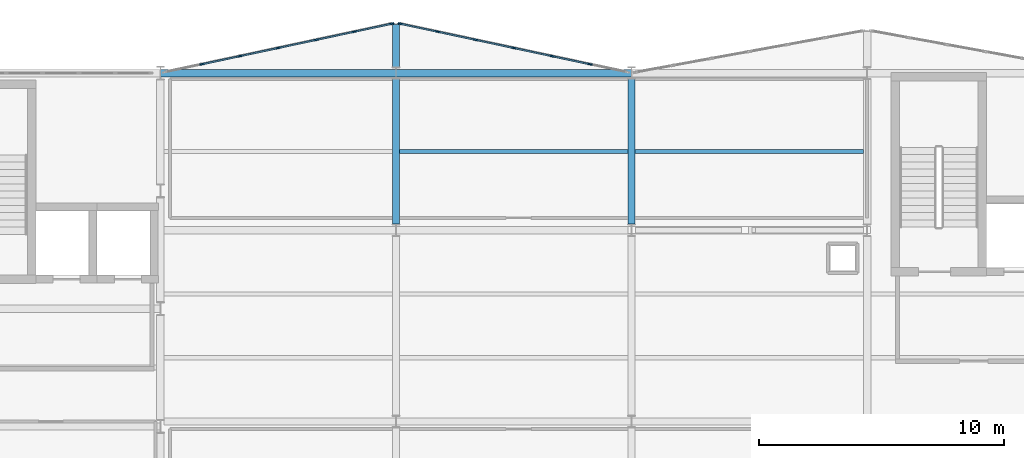
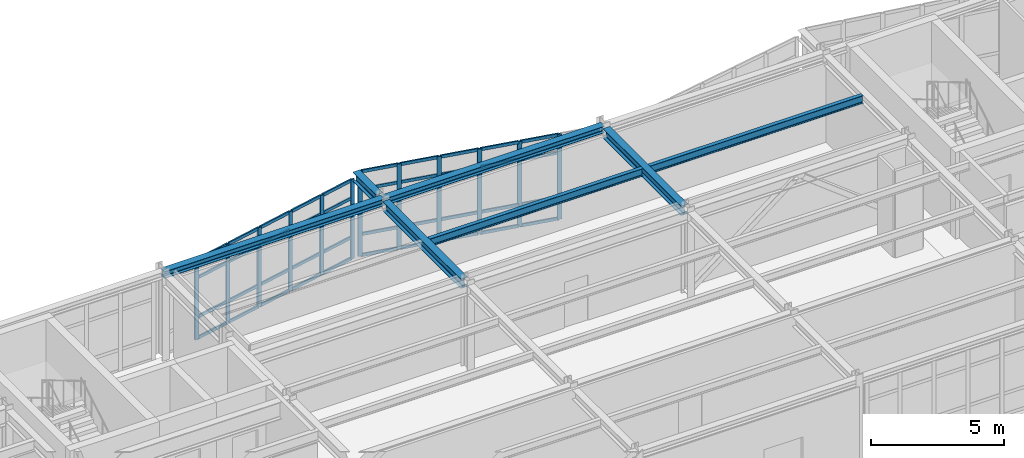
# One storey, part 31 of 64: 52 members, 7 beams, 2 elements without a shape of their own.
"""IFC4 building model written with IfcOpenShell, lengths in metres."""

import ifcopenshell
import ifcopenshell.guid

model = None  # the IFC model being written
_history = None  # IfcOwnerHistory: only IFC2X3 demands one
_inside = {}  # id of a spatial element -> (the spatial element, [elements in it])
_under = {}  # id of a project, library or spatial element -> (it, [spatial elements below it])
_declared = {}  # id of a project -> (the project, [libraries it declares])
_typed = {}  # id of a type object -> (the type object, [elements of that type])
_made_of = {}  # id of a material, layer set ... -> (it, [elements and type objects made of it])


def new_model(schema):
    """Start an empty IFC model of exactly this schema.

    Asked for "IFC4X3", IfcOpenShell would pick the latest addendum, in which some entities
    have other attributes; the version numbers below select the first issue.
    IFC2X3 requires an IfcOwnerHistory on every rooted entity: one is made here for all.
    """
    global model, _history
    if schema == "IFC4X3":
        model = ifcopenshell.file(schema_version=(4, 3, 0, 0))
    else:
        model = ifcopenshell.file(schema=schema)
    _inside.clear()
    _under.clear()
    _declared.clear()
    _typed.clear()
    _made_of.clear()
    _history = None
    if model.schema == "IFC2X3":
        org = make("IfcOrganization", Name="unknown")
        user = make(
            "IfcPersonAndOrganization",
            ThePerson=make("IfcPerson", FamilyName="unknown"),
            TheOrganization=org,
        )
        app = make(
            "IfcApplication",
            ApplicationDeveloper=org,
            Version="unknown",
            ApplicationFullName="unknown",
            ApplicationIdentifier="unknown",
        )
        _history = make(
            "IfcOwnerHistory",
            OwningUser=user,
            OwningApplication=app,
            ChangeAction="ADDED",
            CreationDate=0,
        )
    return model


def make(cls, **values):
    """One entity of the class cls with the attributes given. An attribute that is None is left unset."""
    return model.create_entity(
        cls, **{name: value for name, value in values.items() if value is not None}
    )


def rooted(cls, **values):
    """An entity with a GlobalId (a new one), such as an element, a storey or a relation."""
    return make(cls, GlobalId=ifcopenshell.guid.new(), OwnerHistory=_history, **values)


def si_unit(unit_type, name, prefix=None):
    """IfcSIUnit, for example si_unit("LENGTHUNIT", "METRE", prefix="MILLI")."""
    return make("IfcSIUnit", UnitType=unit_type, Prefix=prefix, Name=name)


def assignment(units):
    """IfcUnitAssignment: the units of a project."""
    return None if units is None else make("IfcUnitAssignment", Units=units)


def point(xyz):
    """IfcCartesianPoint."""
    return None if xyz is None else make("IfcCartesianPoint", Coordinates=xyz)


def direction(xyz):
    """IfcDirection."""
    return None if xyz is None else make("IfcDirection", DirectionRatios=xyz)


def frame(location, z_axis=None, x_axis=None):
    """IfcAxis2Placement3D, a coordinate frame: its origin and axes. An axis left out is left unset."""
    return make(
        "IfcAxis2Placement3D",
        Location=point(location),
        Axis=direction(z_axis),
        RefDirection=direction(x_axis),
    )


def frame_2d(location, x_axis=None):
    """IfcAxis2Placement2D, a coordinate frame in the plane: its origin and x axis."""
    return make(
        "IfcAxis2Placement2D", Location=point(location), RefDirection=direction(x_axis)
    )


def origin():
    """The frame at (0, 0, 0) with its axes left unset."""
    return frame((0.0, 0.0, 0.0))


def origin_2d():
    """The frame at (0, 0) in the plane with its x axis left unset."""
    return frame_2d((0.0, 0.0))


def place(relative_to, where):
    """IfcLocalPlacement: puts the frame where relative to a parent placement (None: the world)."""
    return make(
        "IfcLocalPlacement", PlacementRelTo=relative_to, RelativePlacement=where
    )


def context(
    kind, dimensions, precision=None, world=None, true_north=None, identifier=None
):
    """IfcGeometricRepresentationContext, for example the 3D "Model" context."""
    return make(
        "IfcGeometricRepresentationContext",
        ContextIdentifier=identifier,
        ContextType=kind,
        CoordinateSpaceDimension=dimensions,
        Precision=precision,
        WorldCoordinateSystem=world,
        TrueNorth=true_north,
    )


def subcontext(parent, identifier, kind, view, scale=None):
    """IfcGeometricRepresentationSubContext, for example "Body" below "Model"."""
    return make(
        "IfcGeometricRepresentationSubContext",
        ContextIdentifier=identifier,
        ContextType=kind,
        ParentContext=parent,
        TargetScale=scale,
        TargetView=view,
    )


def project(units=None, contexts=None):
    """IfcProject with its units and contexts."""
    return rooted(
        "IfcProject",
        Name="project",
        RepresentationContexts=contexts,
        UnitsInContext=assignment(units),
    )


def spatial(cls, under=None, at=None, **own):
    """A site, building, storey or space (cls), placed at a placement, below another one or the project."""
    s = rooted(cls, ObjectPlacement=at, **own)
    if under is not None:
        _under.setdefault(under.id(), (under, []))[1].append(s)
    return s


def profile(cls, at=None, kind="AREA", **sizes):
    """A parametric profile (cls). Its sizes go by their IFC names, for example OverallWidth=200.0."""
    return make(cls, ProfileType=kind, Position=at, **sizes)


def rectangle(**sizes):
    """IfcRectangleProfileDef."""
    return profile("IfcRectangleProfileDef", **sizes)


def i_section(**sizes):
    """IfcIShapeProfileDef."""
    return profile("IfcIShapeProfileDef", **sizes)


def extrude(swept, where, along, depth):
    """IfcExtrudedAreaSolid: the profile swept, set in the frame where, extruded along a direction by depth."""
    return make(
        "IfcExtrudedAreaSolid",
        SweptArea=swept,
        Position=where,
        ExtrudedDirection=direction(along),
        Depth=depth,
    )


def shape(context_of_items, identifier, shape_type, items):
    """IfcShapeRepresentation: the items that make up one representation, for example the "Body"."""
    return make(
        "IfcShapeRepresentation",
        ContextOfItems=context_of_items,
        RepresentationIdentifier=identifier,
        RepresentationType=shape_type,
        Items=items,
    )


def material(Name=None, Category=None):
    """IfcMaterial."""
    return make("IfcMaterial", Name=Name, Category=Category)


def layer(
    of_material, thickness, ventilated=None, Name=None, Category=None, Priority=None
):
    """IfcMaterialLayer: one layer of a wall or slab, of a material (None: an air gap)."""
    return make(
        "IfcMaterialLayer",
        Material=of_material,
        LayerThickness=thickness,
        IsVentilated=ventilated,
        Name=Name,
        Category=Category,
        Priority=Priority,
    )


def layer_set(layers, Name=None):
    """IfcMaterialLayerSet."""
    return make("IfcMaterialLayerSet", MaterialLayers=layers, LayerSetName=Name)


def material_profile(
    of_material, cross_section, Name=None, Category=None, Priority=None
):
    """IfcMaterialProfile: a cross section and its material."""
    return make(
        "IfcMaterialProfile",
        Name=Name,
        Material=of_material,
        Profile=cross_section,
        Priority=Priority,
        Category=Category,
    )


def profile_set(profiles, Name=None, composite=None):
    """IfcMaterialProfileSet."""
    return make(
        "IfcMaterialProfileSet",
        Name=Name,
        MaterialProfiles=profiles,
        CompositeProfile=composite,
    )


def made_of(thing, what):
    """Note that an element or type object is made of a material, layer set ...; save() writes the relation."""
    if what is not None:
        _made_of.setdefault(what.id(), (what, []))[1].append(thing)
    return thing


def type_object(cls, material=None, **own):
    """A type object (cls), such as IfcWallType, which elements share."""
    return made_of(rooted(cls, **own), material)


def element(
    cls,
    number,
    at=None,
    inside=None,
    cuts=None,
    type_object=None,
    material=None,
    context=None,
    identifier="Body",
    shape_type=None,
    held_by="IfcProductDefinitionShape",
    body=None,
    shapes=None,
    **own,
):
    """One element of the class cls, such as IfcWall. Its Tag is "e" and its number.

    at: its placement. inside: the storey or other place that contains it. cuts: it is an
    opening in that element (IfcRelVoidsElement). A single representation is given by context,
    identifier, shape_type and body (its items); several are given by shapes. held_by: the class
    of the entity that holds the representations. save() writes the other relations.
    """
    e = rooted(cls, Tag="e%d" % number, ObjectPlacement=at, **own)
    if body is not None:
        shapes = [shape(context, identifier, shape_type, body)]
    if shapes is not None:
        e.Representation = make(held_by, Representations=shapes)
    if inside is not None:
        _inside.setdefault(inside.id(), (inside, []))[1].append(e)
    if cuts is not None:
        rooted(
            "IfcRelVoidsElement", RelatingBuildingElement=cuts, RelatedOpeningElement=e
        )
    if type_object is not None:
        _typed.setdefault(type_object.id(), (type_object, []))[1].append(e)
    return made_of(e, material)


def aggregate(whole, parts):
    """IfcRelAggregates: a whole, such as a stair, and the parts it consists of."""
    return rooted("IfcRelAggregates", RelatingObject=whole, RelatedObjects=parts)


def save(model, path):
    """Write the relations noted so far, then the file.

    IfcRelAggregates (storeys below a building ...), IfcRelContainedInSpatialStructure (elements
    in a storey), IfcRelDefinesByType, IfcRelAssociatesMaterial and IfcRelDeclares: one each for
    every whole, place, type object, material and project.
    """
    for whole, parts in _under.values():
        aggregate(whole, parts)
    for where, things in _inside.values():
        rooted(
            "IfcRelContainedInSpatialStructure",
            RelatedElements=things,
            RelatingStructure=where,
        )
    for kind, things in _typed.values():
        rooted("IfcRelDefinesByType", RelatedObjects=things, RelatingType=kind)
    for what, things in _made_of.values():
        rooted("IfcRelAssociatesMaterial", RelatedObjects=things, RelatingMaterial=what)
    for by, libraries in _declared.values():
        rooted("IfcRelDeclares", RelatingContext=by, RelatedDefinitions=libraries)
    model.write(path)


model = new_model("IFC4")

# Units and contexts
model_context = context("Model", 3, precision=1e-05, world=origin(), true_north=direction((0.0, 1.0)))
body_context = subcontext(model_context, "Body", "Model", "MODEL_VIEW")
ifc_project = project(units=[si_unit("LENGTHUNIT", "METRE"), si_unit("AREAUNIT", "SQUARE_METRE"), si_unit("VOLUMEUNIT", "CUBIC_METRE"), si_unit("PLANEANGLEUNIT", "RADIAN"), si_unit("MASSUNIT", "GRAM", prefix="KILO")], contexts=[model_context])

# Site, building, storey
site_placement = place(None, origin())
site = spatial("IfcSite", under=ifc_project, at=site_placement, CompositionType="ELEMENT")
building_placement = place(site_placement, origin())
building = spatial("IfcBuilding", under=site, at=building_placement, Name="Nordkorset Police Headquarters", CompositionType="ELEMENT")
storey_placement = place(building_placement, frame((0.0, 0.0, 17.85009765625)))
storey = spatial("IfcBuildingStorey", under=building, at=storey_placement, Name="L04", CompositionType="ELEMENT", Elevation=17.85009765625)

# Beams
ifc_material_1 = material(Name="Steel S355J2", Category="steel")
ifc_material_profile_1 = material_profile(ifc_material_1, i_section(OverallWidth=0.169921875, OverallDepth=0.360107421875, WebThickness=0.008056640625, FlangeThickness=0.0126953125, FilletRadius=0.01806640625, at=origin_2d()), Name="IPE 360")
ifc_profile_set_1 = profile_set([ifc_material_profile_1], Name="Steel S355J2")
beam_type_1 = type_object("IfcBeamType", Name="Beam_IPE_360", PredefinedType="BEAM", material=ifc_profile_set_1)
for number, where, z_axis, x_axis, name in (
    (1, (38.550048828125, 113.60009765625, 3.809814453125), (1.0, 0.0, 0.0), (0.0, 1.0, 0.0), "Composite Floor Beam V2 L04 1-2-1"),
    (2, (48.14990234375, 113.60009765625, 3.809814453125), (1.0, 0.0, 0.0), (0.0, 1.0, 0.0), "Composite Floor Beam V2 L04 2-2-1"),
):
    element("IfcBeam", number, at=place(storey_placement, frame(where, z_axis=z_axis, x_axis=x_axis)), inside=storey, type_object=beam_type_1, Name=name, PredefinedType="BEAM", context=body_context, shape_type="SweptSolid", body=[
        extrude(i_section(OverallWidth=0.169921875, OverallDepth=0.360107421875, WebThickness=0.008056640625, FlangeThickness=0.0126953125, FilletRadius=0.01806640625, at=origin_2d()), origin(), (0.0, 0.0, 1.0), 9.300048828125),
    ])

# Curtain wall, members
ifc_material_2 = material(Name="Aluminium alloy AW-6060", Category="aluminium")
ifc_layer_1 = layer(ifc_material_2, 0.179931640625, Name="Aluminium alloy AW-6060")
ifc_layer_set_1 = layer_set([ifc_layer_1], Name="Aluminium alloy AW-6060")
curtain_wall_type_1 = type_object("IfcCurtainWallType", Name="CW_Unit_954x366", PredefinedType="USERDEFINED", material=ifc_layer_set_1)
curtain_wall_1_placement = place(storey_placement, origin())
curtain_wall_1 = element("IfcCurtainWall", 3, at=curtain_wall_1_placement, inside=storey, type_object=curtain_wall_type_1, Name="Unitised Curtain Wall L04 V2N-0", ObjectType="UNITISED CURTAIN WALL", PredefinedType="USERDEFINED")
ifc_material_3 = material(Name="Aluminium alloy AW-6060", Category="aluminium")
ifc_material_profile_2 = material_profile(ifc_material_3, rectangle(XDim=0.06494140625, YDim=0.179931640625, at=origin_2d()), Name="ALU MULL 65x180")
ifc_profile_set_2 = profile_set([ifc_material_profile_2], Name="Aluminium alloy AW-6060")
member_type_1 = type_object("IfcMemberType", Name="CW_Mullion_65x180", PredefinedType="MULLION", material=ifc_profile_set_2)
member_1_placement = place(storey_placement, frame((30.4912109375, 117.1611328125, 0.0), z_axis=(0.0, 0.0, 1.0), x_axis=(-0.208832534289, 0.977951416289, 0.0)))
member_1 = element("IfcMember", 4, at=member_1_placement, type_object=member_type_1, Name="CW-110 mullion 2", PredefinedType="MULLION", context=body_context, shape_type="SweptSolid", body=[
    extrude(rectangle(XDim=0.06494140625, YDim=0.179931640625, at=origin_2d()), origin(), (0.0, 0.0, 1.0), 3.659912109375),
])
member_2_placement = place(storey_placement, frame((32.045654296875, 117.4931640625, 0.0), z_axis=(0.0, 0.0, 1.0), x_axis=(-0.208832534289, 0.977951416289, 0.0)))
member_2 = element("IfcMember", 5, at=member_2_placement, type_object=member_type_1, Name="CW-110 mullion 3", PredefinedType="MULLION", context=body_context, shape_type="SweptSolid", body=[
    extrude(rectangle(XDim=0.06494140625, YDim=0.179931640625, at=origin_2d()), origin(), (0.0, 0.0, 1.0), 3.659912109375),
])
member_3_placement = place(storey_placement, frame((33.60009765625, 117.824951171875, 0.0), z_axis=(0.0, 0.0, 1.0), x_axis=(-0.208832534289, 0.977951416289, 0.0)))
member_3 = element("IfcMember", 6, at=member_3_placement, type_object=member_type_1, Name="CW-110 mullion 4", PredefinedType="MULLION", context=body_context, shape_type="SweptSolid", body=[
    extrude(rectangle(XDim=0.06494140625, YDim=0.179931640625, at=origin_2d()), origin(), (0.0, 0.0, 1.0), 3.659912109375),
])
member_4_placement = place(storey_placement, frame((35.154296875, 118.156982421875, 0.0), z_axis=(0.0, 0.0, 1.0), x_axis=(-0.208832534289, 0.977951416289, 0.0)))
member_4 = element("IfcMember", 7, at=member_4_placement, type_object=member_type_1, Name="CW-110 mullion 5", PredefinedType="MULLION", context=body_context, shape_type="SweptSolid", body=[
    extrude(rectangle(XDim=0.06494140625, YDim=0.179931640625, at=origin_2d()), origin(), (0.0, 0.0, 1.0), 3.659912109375),
])
member_5_placement = place(storey_placement, frame((36.708740234375, 118.48876953125, 0.0), z_axis=(0.0, 0.0, 1.0), x_axis=(-0.208832534289, 0.977951416289, 0.0)))
member_5 = element("IfcMember", 8, at=member_5_placement, type_object=member_type_1, Name="CW-110 mullion 6", PredefinedType="MULLION", context=body_context, shape_type="SweptSolid", body=[
    extrude(rectangle(XDim=0.06494140625, YDim=0.179931640625, at=origin_2d()), origin(), (0.0, 0.0, 1.0), 3.659912109375),
])
member_6_placement = place(storey_placement, frame((38.231201171875, 118.81396484375, 0.0), z_axis=(0.0, 0.0, 1.0), x_axis=(-0.208832534289, 0.977951416289, 0.0)))
member_6 = element("IfcMember", 9, at=member_6_placement, type_object=member_type_1, Name="CW-110 mullion 7", PredefinedType="MULLION", context=body_context, shape_type="SweptSolid", body=[
    extrude(rectangle(XDim=0.06494140625, YDim=0.179931640625, at=origin_2d()), origin(), (0.0, 0.0, 1.0), 3.659912109375),
])

ifc_material_4 = material(Name="Aluminium alloy AW-6060", Category="aluminium")
ifc_layer_2 = layer(ifc_material_4, 0.179931640625, Name="Aluminium alloy AW-6060")
ifc_layer_set_2 = layer_set([ifc_layer_2], Name="Aluminium alloy AW-6060")
curtain_wall_type_2 = type_object("IfcCurtainWallType", Name="CW_Unit_954x392", PredefinedType="USERDEFINED", material=ifc_layer_set_2)
curtain_wall_2_placement = place(storey_placement, origin())
curtain_wall_2 = element("IfcCurtainWall", 10, at=curtain_wall_2_placement, inside=storey, type_object=curtain_wall_type_2, Name="Unitised Curtain Wall L04 V2N-1", ObjectType="UNITISED CURTAIN WALL", PredefinedType="USERDEFINED")
member_7_placement = place(storey_placement, frame((38.568603515625, 118.81396484375, 0.0), z_axis=(0.0, 0.0, 1.0), x_axis=(0.208832534289, 0.977951416289, 0.0)))
member_7 = element("IfcMember", 11, at=member_7_placement, type_object=member_type_1, Name="CW-20 mullion 1", PredefinedType="MULLION", context=body_context, shape_type="SweptSolid", body=[
    extrude(rectangle(XDim=0.06494140625, YDim=0.179931640625, at=origin_2d()), origin(), (0.0, 0.0, 1.0), 3.919921875),
])
member_8_placement = place(storey_placement, frame((40.09130859375, 118.48876953125, 0.0), z_axis=(0.0, 0.0, 1.0), x_axis=(0.208832534289, 0.977951416289, 0.0)))
member_8 = element("IfcMember", 12, at=member_8_placement, type_object=member_type_1, Name="CW-20 mullion 2", PredefinedType="MULLION", context=body_context, shape_type="SweptSolid", body=[
    extrude(rectangle(XDim=0.06494140625, YDim=0.179931640625, at=origin_2d()), origin(), (0.0, 0.0, 1.0), 3.919921875),
])
member_9_placement = place(storey_placement, frame((41.645751953125, 118.156982421875, 0.0), z_axis=(0.0, 0.0, 1.0), x_axis=(0.208832534289, 0.977951416289, 0.0)))
member_9 = element("IfcMember", 13, at=member_9_placement, type_object=member_type_1, Name="CW-20 mullion 3", PredefinedType="MULLION", context=body_context, shape_type="SweptSolid", body=[
    extrude(rectangle(XDim=0.06494140625, YDim=0.179931640625, at=origin_2d()), origin(), (0.0, 0.0, 1.0), 3.919921875),
])
member_10_placement = place(storey_placement, frame((43.199951171875, 117.824951171875, 0.0), z_axis=(0.0, 0.0, 1.0), x_axis=(0.208832534289, 0.977951416289, 0.0)))
member_10 = element("IfcMember", 14, at=member_10_placement, type_object=member_type_1, Name="CW-20 mullion 4", PredefinedType="MULLION", context=body_context, shape_type="SweptSolid", body=[
    extrude(rectangle(XDim=0.06494140625, YDim=0.179931640625, at=origin_2d()), origin(), (0.0, 0.0, 1.0), 3.919921875),
])
member_11_placement = place(storey_placement, frame((44.75439453125, 117.4931640625, 0.0), z_axis=(0.0, 0.0, 1.0), x_axis=(0.208832534289, 0.977951416289, 0.0)))
member_11 = element("IfcMember", 15, at=member_11_placement, type_object=member_type_1, Name="CW-20 mullion 5", PredefinedType="MULLION", context=body_context, shape_type="SweptSolid", body=[
    extrude(rectangle(XDim=0.06494140625, YDim=0.179931640625, at=origin_2d()), origin(), (0.0, 0.0, 1.0), 3.919921875),
])
member_12_placement = place(storey_placement, frame((46.308837890625, 117.1611328125, 0.0), z_axis=(0.0, 0.0, 1.0), x_axis=(0.208832534289, 0.977951416289, 0.0)))
member_12 = element("IfcMember", 16, at=member_12_placement, type_object=member_type_1, Name="CW-20 mullion 6", PredefinedType="MULLION", context=body_context, shape_type="SweptSolid", body=[
    extrude(rectangle(XDim=0.06494140625, YDim=0.179931640625, at=origin_2d()), origin(), (0.0, 0.0, 1.0), 3.919921875),
])

# Member
ifc_material_5 = material(Name="Aluminium alloy AW-6060", Category="aluminium")
ifc_material_profile_3 = material_profile(ifc_material_5, rectangle(XDim=0.06494140625, YDim=0.139892578125, at=origin_2d()), Name="ALU TRAN 65x140")
ifc_profile_set_3 = profile_set([ifc_material_profile_3], Name="Aluminium alloy AW-6060")
member_type_2 = type_object("IfcMemberType", Name="CW_Transom_65x140", PredefinedType="USERDEFINED", material=ifc_profile_set_3)
member_13_placement = place(storey_placement, frame((30.52294921875, 117.16796875, 0.032470703125), z_axis=(0.977954480787, 0.208818182896, 0.0), x_axis=(-0.208818182896, 0.977954480787, 0.0)))
member_13 = element("IfcMember", 17, at=member_13_placement, type_object=member_type_2, Name="CW-110 transom 2.1", ObjectType="TRANSOM", PredefinedType="USERDEFINED", context=body_context, shape_type="SweptSolid", body=[
    extrude(rectangle(XDim=0.06494140625, YDim=0.139892578125, at=origin_2d()), origin(), (0.0, 0.0, 1.0), 1.524658203125),
])

member_14_placement = place(storey_placement, frame((30.52294921875, 117.16796875, 1.0), z_axis=(0.977954480787, 0.208818182896, 0.0), x_axis=(-0.208818182896, 0.977954480787, 0.0)))
member_14 = element("IfcMember", 18, at=member_14_placement, type_object=member_type_2, Name="CW-110 transom 2.2", ObjectType="TRANSOM", PredefinedType="USERDEFINED", context=body_context, shape_type="SweptSolid", body=[
    extrude(rectangle(XDim=0.06494140625, YDim=0.139892578125, at=origin_2d()), origin(), (0.0, 0.0, 1.0), 1.524658203125),
])

member_15_placement = place(storey_placement, frame((30.52294921875, 117.16796875, 2.809814453125), z_axis=(0.977954480787, 0.208818182896, 0.0), x_axis=(-0.208818182896, 0.977954480787, 0.0)))
member_15 = element("IfcMember", 19, at=member_15_placement, type_object=member_type_2, Name="CW-110 transom 2.3", ObjectType="TRANSOM", PredefinedType="USERDEFINED", context=body_context, shape_type="SweptSolid", body=[
    extrude(rectangle(XDim=0.06494140625, YDim=0.139892578125, at=origin_2d()), origin(), (0.0, 0.0, 1.0), 1.524658203125),
])

member_16_placement = place(storey_placement, frame((30.52294921875, 117.16796875, 3.62744140625), z_axis=(0.977954480787, 0.208818182896, 0.0), x_axis=(-0.208818182896, 0.977954480787, 0.0)))
member_16 = element("IfcMember", 20, at=member_16_placement, type_object=member_type_2, Name="CW-110 transom 2.4", ObjectType="TRANSOM", PredefinedType="USERDEFINED", context=body_context, shape_type="SweptSolid", body=[
    extrude(rectangle(XDim=0.06494140625, YDim=0.139892578125, at=origin_2d()), origin(), (0.0, 0.0, 1.0), 1.524658203125),
])

member_17_placement = place(storey_placement, frame((32.077392578125, 117.499755859375, 0.032470703125), z_axis=(0.977947496383, 0.208850890154, 0.0), x_axis=(-0.208850890154, 0.977947496383, 0.0)))
member_17 = element("IfcMember", 21, at=member_17_placement, type_object=member_type_2, Name="CW-110 transom 3.1", ObjectType="TRANSOM", PredefinedType="USERDEFINED", context=body_context, shape_type="SweptSolid", body=[
    extrude(rectangle(XDim=0.06494140625, YDim=0.139892578125, at=origin_2d()), origin(), (0.0, 0.0, 1.0), 1.5244140625),
])

member_18_placement = place(storey_placement, frame((32.077392578125, 117.499755859375, 1.0), z_axis=(0.977947496383, 0.208850890154, 0.0), x_axis=(-0.208850890154, 0.977947496383, 0.0)))
member_18 = element("IfcMember", 22, at=member_18_placement, type_object=member_type_2, Name="CW-110 transom 3.2", ObjectType="TRANSOM", PredefinedType="USERDEFINED", context=body_context, shape_type="SweptSolid", body=[
    extrude(rectangle(XDim=0.06494140625, YDim=0.139892578125, at=origin_2d()), origin(), (0.0, 0.0, 1.0), 1.5244140625),
])

member_19_placement = place(storey_placement, frame((32.077392578125, 117.499755859375, 2.809814453125), z_axis=(0.977947496383, 0.208850890154, 0.0), x_axis=(-0.208850890154, 0.977947496383, 0.0)))
member_19 = element("IfcMember", 23, at=member_19_placement, type_object=member_type_2, Name="CW-110 transom 3.3", ObjectType="TRANSOM", PredefinedType="USERDEFINED", context=body_context, shape_type="SweptSolid", body=[
    extrude(rectangle(XDim=0.06494140625, YDim=0.139892578125, at=origin_2d()), origin(), (0.0, 0.0, 1.0), 1.5244140625),
])

member_20_placement = place(storey_placement, frame((32.077392578125, 117.499755859375, 3.62744140625), z_axis=(0.977947496383, 0.208850890154, 0.0), x_axis=(-0.208850890154, 0.977947496383, 0.0)))
member_20 = element("IfcMember", 24, at=member_20_placement, type_object=member_type_2, Name="CW-110 transom 3.4", ObjectType="TRANSOM", PredefinedType="USERDEFINED", context=body_context, shape_type="SweptSolid", body=[
    extrude(rectangle(XDim=0.06494140625, YDim=0.139892578125, at=origin_2d()), origin(), (0.0, 0.0, 1.0), 1.5244140625),
])

member_21_placement = place(storey_placement, frame((33.6318359375, 117.831787109375, 0.032470703125), z_axis=(0.977947496383, 0.208850890154, 0.0), x_axis=(-0.208850890154, 0.977947496383, 0.0)))
member_21 = element("IfcMember", 25, at=member_21_placement, type_object=member_type_2, Name="CW-110 transom 4.1", ObjectType="TRANSOM", PredefinedType="USERDEFINED", context=body_context, shape_type="SweptSolid", body=[
    extrude(rectangle(XDim=0.06494140625, YDim=0.139892578125, at=origin_2d()), origin(), (0.0, 0.0, 1.0), 1.5244140625),
])

member_22_placement = place(storey_placement, frame((33.6318359375, 117.831787109375, 1.0), z_axis=(0.977947496383, 0.208850890154, 0.0), x_axis=(-0.208850890154, 0.977947496383, 0.0)))
member_22 = element("IfcMember", 26, at=member_22_placement, type_object=member_type_2, Name="CW-110 transom 4.2", ObjectType="TRANSOM", PredefinedType="USERDEFINED", context=body_context, shape_type="SweptSolid", body=[
    extrude(rectangle(XDim=0.06494140625, YDim=0.139892578125, at=origin_2d()), origin(), (0.0, 0.0, 1.0), 1.5244140625),
])

member_23_placement = place(storey_placement, frame((33.6318359375, 117.831787109375, 2.809814453125), z_axis=(0.977947496383, 0.208850890154, 0.0), x_axis=(-0.208850890154, 0.977947496383, 0.0)))
member_23 = element("IfcMember", 27, at=member_23_placement, type_object=member_type_2, Name="CW-110 transom 4.3", ObjectType="TRANSOM", PredefinedType="USERDEFINED", context=body_context, shape_type="SweptSolid", body=[
    extrude(rectangle(XDim=0.06494140625, YDim=0.139892578125, at=origin_2d()), origin(), (0.0, 0.0, 1.0), 1.5244140625),
])

member_24_placement = place(storey_placement, frame((33.6318359375, 117.831787109375, 3.62744140625), z_axis=(0.977947496383, 0.208850890154, 0.0), x_axis=(-0.208850890154, 0.977947496383, 0.0)))
member_24 = element("IfcMember", 28, at=member_24_placement, type_object=member_type_2, Name="CW-110 transom 4.4", ObjectType="TRANSOM", PredefinedType="USERDEFINED", context=body_context, shape_type="SweptSolid", body=[
    extrude(rectangle(XDim=0.06494140625, YDim=0.139892578125, at=origin_2d()), origin(), (0.0, 0.0, 1.0), 1.5244140625),
])

member_25_placement = place(storey_placement, frame((35.18603515625, 118.163818359375, 0.032470703125), z_axis=(0.97798717214, 0.208665021336, 0.0), x_axis=(-0.208665021336, 0.97798717214, 0.0)))
member_25 = element("IfcMember", 29, at=member_25_placement, type_object=member_type_2, Name="CW-110 transom 5.1", ObjectType="TRANSOM", PredefinedType="USERDEFINED", context=body_context, shape_type="SweptSolid", body=[
    extrude(rectangle(XDim=0.06494140625, YDim=0.139892578125, at=origin_2d()), origin(), (0.0, 0.0, 1.0), 1.5244140625),
])

member_26_placement = place(storey_placement, frame((35.18603515625, 118.163818359375, 1.0), z_axis=(0.97798717214, 0.208665021336, 0.0), x_axis=(-0.208665021336, 0.97798717214, 0.0)))
member_26 = element("IfcMember", 30, at=member_26_placement, type_object=member_type_2, Name="CW-110 transom 5.2", ObjectType="TRANSOM", PredefinedType="USERDEFINED", context=body_context, shape_type="SweptSolid", body=[
    extrude(rectangle(XDim=0.06494140625, YDim=0.139892578125, at=origin_2d()), origin(), (0.0, 0.0, 1.0), 1.5244140625),
])

member_27_placement = place(storey_placement, frame((35.18603515625, 118.163818359375, 2.809814453125), z_axis=(0.97798717214, 0.208665021336, 0.0), x_axis=(-0.208665021336, 0.97798717214, 0.0)))
member_27 = element("IfcMember", 31, at=member_27_placement, type_object=member_type_2, Name="CW-110 transom 5.3", ObjectType="TRANSOM", PredefinedType="USERDEFINED", context=body_context, shape_type="SweptSolid", body=[
    extrude(rectangle(XDim=0.06494140625, YDim=0.139892578125, at=origin_2d()), origin(), (0.0, 0.0, 1.0), 1.5244140625),
])

member_28_placement = place(storey_placement, frame((35.18603515625, 118.163818359375, 3.62744140625), z_axis=(0.97798717214, 0.208665021336, 0.0), x_axis=(-0.208665021336, 0.97798717214, 0.0)))
member_28 = element("IfcMember", 32, at=member_28_placement, type_object=member_type_2, Name="CW-110 transom 5.4", ObjectType="TRANSOM", PredefinedType="USERDEFINED", context=body_context, shape_type="SweptSolid", body=[
    extrude(rectangle(XDim=0.06494140625, YDim=0.139892578125, at=origin_2d()), origin(), (0.0, 0.0, 1.0), 1.5244140625),
])

member_29_placement = place(storey_placement, frame((36.740478515625, 118.49560546875, 0.032470703125), z_axis=(0.977955422008, 0.208813774846, 0.0), x_axis=(-0.208813774846, 0.977955422008, 0.0)))
member_29 = element("IfcMember", 33, at=member_29_placement, type_object=member_type_2, Name="CW-110 transom 6.1", ObjectType="TRANSOM", PredefinedType="USERDEFINED", context=body_context, shape_type="SweptSolid", body=[
    extrude(rectangle(XDim=0.06494140625, YDim=0.139892578125, at=origin_2d()), origin(), (0.0, 0.0, 1.0), 1.491943359375),
])

member_30_placement = place(storey_placement, frame((36.740478515625, 118.49560546875, 1.0), z_axis=(0.977955422008, 0.208813774846, 0.0), x_axis=(-0.208813774846, 0.977955422008, 0.0)))
member_30 = element("IfcMember", 34, at=member_30_placement, type_object=member_type_2, Name="CW-110 transom 6.2", ObjectType="TRANSOM", PredefinedType="USERDEFINED", context=body_context, shape_type="SweptSolid", body=[
    extrude(rectangle(XDim=0.06494140625, YDim=0.139892578125, at=origin_2d()), origin(), (0.0, 0.0, 1.0), 1.491943359375),
])

member_31_placement = place(storey_placement, frame((36.740478515625, 118.49560546875, 2.809814453125), z_axis=(0.977955422008, 0.208813774846, 0.0), x_axis=(-0.208813774846, 0.977955422008, 0.0)))
member_31 = element("IfcMember", 35, at=member_31_placement, type_object=member_type_2, Name="CW-110 transom 6.3", ObjectType="TRANSOM", PredefinedType="USERDEFINED", context=body_context, shape_type="SweptSolid", body=[
    extrude(rectangle(XDim=0.06494140625, YDim=0.139892578125, at=origin_2d()), origin(), (0.0, 0.0, 1.0), 1.491943359375),
])

member_32_placement = place(storey_placement, frame((36.740478515625, 118.49560546875, 3.62744140625), z_axis=(0.977955422008, 0.208813774846, 0.0), x_axis=(-0.208813774846, 0.977955422008, 0.0)))
member_32 = element("IfcMember", 36, at=member_32_placement, type_object=member_type_2, Name="CW-110 transom 6.4", ObjectType="TRANSOM", PredefinedType="USERDEFINED", context=body_context, shape_type="SweptSolid", body=[
    extrude(rectangle(XDim=0.06494140625, YDim=0.139892578125, at=origin_2d()), origin(), (0.0, 0.0, 1.0), 1.491943359375),
])

aggregate(curtain_wall_1, [member_1, member_2, member_3, member_4, member_5, member_6, member_13, member_14, member_15, member_16, member_17, member_18, member_19, member_20, member_21, member_22, member_23, member_24, member_25, member_26, member_27, member_28, member_29, member_30, member_31, member_32])

member_33_placement = place(storey_placement, frame((38.6005859375, 118.80712890625, 0.032470703125), z_axis=(0.977955422008, -0.208813774846, 0.0), x_axis=(0.208813774846, 0.977955422008, 0.0)))
member_33 = element("IfcMember", 37, at=member_33_placement, type_object=member_type_2, Name="CW-20 transom 1.1", ObjectType="TRANSOM", PredefinedType="USERDEFINED", context=body_context, shape_type="SweptSolid", body=[
    extrude(rectangle(XDim=0.06494140625, YDim=0.139892578125, at=origin_2d()), origin(), (0.0, 0.0, 1.0), 1.491943359375),
])

member_34_placement = place(storey_placement, frame((38.6005859375, 118.80712890625, 1.0), z_axis=(0.977955422008, -0.208813774846, 0.0), x_axis=(0.208813774846, 0.977955422008, 0.0)))
member_34 = element("IfcMember", 38, at=member_34_placement, type_object=member_type_2, Name="CW-20 transom 1.2", ObjectType="TRANSOM", PredefinedType="USERDEFINED", context=body_context, shape_type="SweptSolid", body=[
    extrude(rectangle(XDim=0.06494140625, YDim=0.139892578125, at=origin_2d()), origin(), (0.0, 0.0, 1.0), 1.491943359375),
])

member_35_placement = place(storey_placement, frame((38.6005859375, 118.80712890625, 3.06982421875), z_axis=(0.977955422008, -0.208813774846, 0.0), x_axis=(0.208813774846, 0.977955422008, 0.0)))
member_35 = element("IfcMember", 39, at=member_35_placement, type_object=member_type_2, Name="CW-20 transom 1.3", ObjectType="TRANSOM", PredefinedType="USERDEFINED", context=body_context, shape_type="SweptSolid", body=[
    extrude(rectangle(XDim=0.06494140625, YDim=0.139892578125, at=origin_2d()), origin(), (0.0, 0.0, 1.0), 1.491943359375),
])

member_36_placement = place(storey_placement, frame((38.6005859375, 118.80712890625, 3.887451171875), z_axis=(0.977955422008, -0.208813774846, 0.0), x_axis=(0.208813774846, 0.977955422008, 0.0)))
member_36 = element("IfcMember", 40, at=member_36_placement, type_object=member_type_2, Name="CW-20 transom 1.4", ObjectType="TRANSOM", PredefinedType="USERDEFINED", context=body_context, shape_type="SweptSolid", body=[
    extrude(rectangle(XDim=0.06494140625, YDim=0.139892578125, at=origin_2d()), origin(), (0.0, 0.0, 1.0), 1.491943359375),
])

member_37_placement = place(storey_placement, frame((40.123046875, 118.48193359375, 0.032470703125), z_axis=(0.977980197745, -0.20869770679, 0.0), x_axis=(0.20869770679, 0.977980197745, 0.0)))
member_37 = element("IfcMember", 41, at=member_37_placement, type_object=member_type_2, Name="CW-20 transom 2.1", ObjectType="TRANSOM", PredefinedType="USERDEFINED", context=body_context, shape_type="SweptSolid", body=[
    extrude(rectangle(XDim=0.06494140625, YDim=0.139892578125, at=origin_2d()), origin(), (0.0, 0.0, 1.0), 1.524169921875),
])

member_38_placement = place(storey_placement, frame((40.123046875, 118.48193359375, 1.0), z_axis=(0.977980197745, -0.20869770679, 0.0), x_axis=(0.20869770679, 0.977980197745, 0.0)))
member_38 = element("IfcMember", 42, at=member_38_placement, type_object=member_type_2, Name="CW-20 transom 2.2", ObjectType="TRANSOM", PredefinedType="USERDEFINED", context=body_context, shape_type="SweptSolid", body=[
    extrude(rectangle(XDim=0.06494140625, YDim=0.139892578125, at=origin_2d()), origin(), (0.0, 0.0, 1.0), 1.524169921875),
])

member_39_placement = place(storey_placement, frame((40.123046875, 118.48193359375, 3.06982421875), z_axis=(0.977980197745, -0.20869770679, 0.0), x_axis=(0.20869770679, 0.977980197745, 0.0)))
member_39 = element("IfcMember", 43, at=member_39_placement, type_object=member_type_2, Name="CW-20 transom 2.3", ObjectType="TRANSOM", PredefinedType="USERDEFINED", context=body_context, shape_type="SweptSolid", body=[
    extrude(rectangle(XDim=0.06494140625, YDim=0.139892578125, at=origin_2d()), origin(), (0.0, 0.0, 1.0), 1.524169921875),
])

member_40_placement = place(storey_placement, frame((40.123046875, 118.48193359375, 3.887451171875), z_axis=(0.977980197745, -0.20869770679, 0.0), x_axis=(0.20869770679, 0.977980197745, 0.0)))
member_40 = element("IfcMember", 44, at=member_40_placement, type_object=member_type_2, Name="CW-20 transom 2.4", ObjectType="TRANSOM", PredefinedType="USERDEFINED", context=body_context, shape_type="SweptSolid", body=[
    extrude(rectangle(XDim=0.06494140625, YDim=0.139892578125, at=origin_2d()), origin(), (0.0, 0.0, 1.0), 1.524169921875),
])

member_41_placement = place(storey_placement, frame((41.677490234375, 118.150146484375, 0.032470703125), z_axis=(0.977947496383, -0.208850890154, 0.0), x_axis=(0.208850890154, 0.977947496383, 0.0)))
member_41 = element("IfcMember", 45, at=member_41_placement, type_object=member_type_2, Name="CW-20 transom 3.1", ObjectType="TRANSOM", PredefinedType="USERDEFINED", context=body_context, shape_type="SweptSolid", body=[
    extrude(rectangle(XDim=0.06494140625, YDim=0.139892578125, at=origin_2d()), origin(), (0.0, 0.0, 1.0), 1.5244140625),
])

member_42_placement = place(storey_placement, frame((41.677490234375, 118.150146484375, 1.0), z_axis=(0.977947496383, -0.208850890154, 0.0), x_axis=(0.208850890154, 0.977947496383, 0.0)))
member_42 = element("IfcMember", 46, at=member_42_placement, type_object=member_type_2, Name="CW-20 transom 3.2", ObjectType="TRANSOM", PredefinedType="USERDEFINED", context=body_context, shape_type="SweptSolid", body=[
    extrude(rectangle(XDim=0.06494140625, YDim=0.139892578125, at=origin_2d()), origin(), (0.0, 0.0, 1.0), 1.5244140625),
])

member_43_placement = place(storey_placement, frame((41.677490234375, 118.150146484375, 3.06982421875), z_axis=(0.977947496383, -0.208850890154, 0.0), x_axis=(0.208850890154, 0.977947496383, 0.0)))
member_43 = element("IfcMember", 47, at=member_43_placement, type_object=member_type_2, Name="CW-20 transom 3.3", ObjectType="TRANSOM", PredefinedType="USERDEFINED", context=body_context, shape_type="SweptSolid", body=[
    extrude(rectangle(XDim=0.06494140625, YDim=0.139892578125, at=origin_2d()), origin(), (0.0, 0.0, 1.0), 1.5244140625),
])

member_44_placement = place(storey_placement, frame((41.677490234375, 118.150146484375, 3.887451171875), z_axis=(0.977947496383, -0.208850890154, 0.0), x_axis=(0.208850890154, 0.977947496383, 0.0)))
member_44 = element("IfcMember", 48, at=member_44_placement, type_object=member_type_2, Name="CW-20 transom 3.4", ObjectType="TRANSOM", PredefinedType="USERDEFINED", context=body_context, shape_type="SweptSolid", body=[
    extrude(rectangle(XDim=0.06494140625, YDim=0.139892578125, at=origin_2d()), origin(), (0.0, 0.0, 1.0), 1.5244140625),
])

member_45_placement = place(storey_placement, frame((43.231689453125, 117.818115234375, 0.032470703125), z_axis=(0.977954480787, -0.208818182896, 0.0), x_axis=(0.208818182896, 0.977954480787, 0.0)))
member_45 = element("IfcMember", 49, at=member_45_placement, type_object=member_type_2, Name="CW-20 transom 4.1", ObjectType="TRANSOM", PredefinedType="USERDEFINED", context=body_context, shape_type="SweptSolid", body=[
    extrude(rectangle(XDim=0.06494140625, YDim=0.139892578125, at=origin_2d()), origin(), (0.0, 0.0, 1.0), 1.524658203125),
])

member_46_placement = place(storey_placement, frame((43.231689453125, 117.818115234375, 1.0), z_axis=(0.977954480787, -0.208818182896, 0.0), x_axis=(0.208818182896, 0.977954480787, 0.0)))
member_46 = element("IfcMember", 50, at=member_46_placement, type_object=member_type_2, Name="CW-20 transom 4.2", ObjectType="TRANSOM", PredefinedType="USERDEFINED", context=body_context, shape_type="SweptSolid", body=[
    extrude(rectangle(XDim=0.06494140625, YDim=0.139892578125, at=origin_2d()), origin(), (0.0, 0.0, 1.0), 1.524658203125),
])

member_47_placement = place(storey_placement, frame((43.231689453125, 117.818115234375, 3.06982421875), z_axis=(0.977954480787, -0.208818182896, 0.0), x_axis=(0.208818182896, 0.977954480787, 0.0)))
member_47 = element("IfcMember", 51, at=member_47_placement, type_object=member_type_2, Name="CW-20 transom 4.3", ObjectType="TRANSOM", PredefinedType="USERDEFINED", context=body_context, shape_type="SweptSolid", body=[
    extrude(rectangle(XDim=0.06494140625, YDim=0.139892578125, at=origin_2d()), origin(), (0.0, 0.0, 1.0), 1.524658203125),
])

member_48_placement = place(storey_placement, frame((43.231689453125, 117.818115234375, 3.887451171875), z_axis=(0.977954480787, -0.208818182896, 0.0), x_axis=(0.208818182896, 0.977954480787, 0.0)))
member_48 = element("IfcMember", 52, at=member_48_placement, type_object=member_type_2, Name="CW-20 transom 4.4", ObjectType="TRANSOM", PredefinedType="USERDEFINED", context=body_context, shape_type="SweptSolid", body=[
    extrude(rectangle(XDim=0.06494140625, YDim=0.139892578125, at=origin_2d()), origin(), (0.0, 0.0, 1.0), 1.524658203125),
])

member_49_placement = place(storey_placement, frame((44.7861328125, 117.486328125, 0.032470703125), z_axis=(0.977947496383, -0.208850890154, 0.0), x_axis=(0.208850890154, 0.977947496383, 0.0)))
member_49 = element("IfcMember", 53, at=member_49_placement, type_object=member_type_2, Name="CW-20 transom 5.1", ObjectType="TRANSOM", PredefinedType="USERDEFINED", context=body_context, shape_type="SweptSolid", body=[
    extrude(rectangle(XDim=0.06494140625, YDim=0.139892578125, at=origin_2d()), origin(), (0.0, 0.0, 1.0), 1.5244140625),
])

member_50_placement = place(storey_placement, frame((44.7861328125, 117.486328125, 1.0), z_axis=(0.977947496383, -0.208850890154, 0.0), x_axis=(0.208850890154, 0.977947496383, 0.0)))
member_50 = element("IfcMember", 54, at=member_50_placement, type_object=member_type_2, Name="CW-20 transom 5.2", ObjectType="TRANSOM", PredefinedType="USERDEFINED", context=body_context, shape_type="SweptSolid", body=[
    extrude(rectangle(XDim=0.06494140625, YDim=0.139892578125, at=origin_2d()), origin(), (0.0, 0.0, 1.0), 1.5244140625),
])

member_51_placement = place(storey_placement, frame((44.7861328125, 117.486328125, 3.06982421875), z_axis=(0.977947496383, -0.208850890154, 0.0), x_axis=(0.208850890154, 0.977947496383, 0.0)))
member_51 = element("IfcMember", 55, at=member_51_placement, type_object=member_type_2, Name="CW-20 transom 5.3", ObjectType="TRANSOM", PredefinedType="USERDEFINED", context=body_context, shape_type="SweptSolid", body=[
    extrude(rectangle(XDim=0.06494140625, YDim=0.139892578125, at=origin_2d()), origin(), (0.0, 0.0, 1.0), 1.5244140625),
])

member_52_placement = place(storey_placement, frame((44.7861328125, 117.486328125, 3.887451171875), z_axis=(0.977947496383, -0.208850890154, 0.0), x_axis=(0.208850890154, 0.977947496383, 0.0)))
member_52 = element("IfcMember", 56, at=member_52_placement, type_object=member_type_2, Name="CW-20 transom 5.4", ObjectType="TRANSOM", PredefinedType="USERDEFINED", context=body_context, shape_type="SweptSolid", body=[
    extrude(rectangle(XDim=0.06494140625, YDim=0.139892578125, at=origin_2d()), origin(), (0.0, 0.0, 1.0), 1.5244140625),
])

aggregate(curtain_wall_2, [member_7, member_8, member_9, member_10, member_11, member_12, member_33, member_34, member_35, member_36, member_37, member_38, member_39, member_40, member_41, member_42, member_43, member_44, member_45, member_46, member_47, member_48, member_49, member_50, member_51, member_52])

# Beams
ifc_material_6 = material(Name="Steel S355J2", Category="steel")
ifc_material_profile_4 = material_profile(ifc_material_6, i_section(OverallWidth=0.300048828125, OverallDepth=0.43994140625, WebThickness=0.011474609375, FlangeThickness=0.02099609375, FilletRadius=0.027099609375, at=origin_2d()), Name="HEA 450")
ifc_profile_set_4 = profile_set([ifc_material_profile_4], Name="Steel S355J2")
beam_type_2 = type_object("IfcBeamType", Name="Girder_HEA_450", PredefinedType="USERDEFINED", material=ifc_profile_set_4)
for number, where, z_axis, x_axis, name in (
    (57, (38.39990234375, 110.64990234375, 3.77001953125), (0.0, 1.0, 0.0), (-1.0, 0.0, 0.0), "Girder V2 L04 GY-1-2"),
    (58, (48.0, 110.64990234375, 3.77001953125), (0.0, 1.0, 0.0), (-1.0, 0.0, 0.0), "Girder V2 L04 GY-2-2"),
):
    element("IfcBeam", number, at=place(storey_placement, frame(where, z_axis=z_axis, x_axis=x_axis)), inside=storey, type_object=beam_type_2, Name=name, ObjectType="GIRDER", PredefinedType="USERDEFINED", context=body_context, shape_type="SweptSolid", body=[
        extrude(i_section(OverallWidth=0.300048828125, OverallDepth=0.43994140625, WebThickness=0.011474609375, FlangeThickness=0.02099609375, FilletRadius=0.027099609375, at=origin_2d()), origin(), (0.0, 0.0, 1.0), 5.900146484375),
    ])
beam_1_placement = place(storey_placement, frame((38.39990234375, 117.050048828125, 3.77001953125), z_axis=(0.0, 1.0, 0.0), x_axis=(-1.0, 0.0, 0.0)))
element("IfcBeam", 59, at=beam_1_placement, inside=storey, type_object=beam_type_2, Name="Sawtooth Facade Outrigger V2 L04 38", ObjectType="GIRDER", PredefinedType="USERDEFINED", context=body_context, shape_type="SweptSolid", body=[
    extrude(i_section(OverallWidth=0.300048828125, OverallDepth=0.43994140625, WebThickness=0.011474609375, FlangeThickness=0.02099609375, FilletRadius=0.027099609375, at=origin_2d()), origin(), (0.0, 0.0, 1.0), 1.739990234375),
])
ifc_material_7 = material(Name="Steel S355J2", Category="steel")
ifc_material_profile_5 = material_profile(ifc_material_7, i_section(OverallWidth=0.300048828125, OverallDepth=0.31005859375, WebThickness=0.009033203125, FlangeThickness=0.015380859375, FilletRadius=0.027099609375, at=origin_2d()), Name="HEA 320")
ifc_profile_set_5 = profile_set([ifc_material_profile_5], Name="Steel S355J2")
beam_type_3 = type_object("IfcBeamType", Name="Spandrel_HEA_320", PredefinedType="SPANDREL", material=ifc_profile_set_5)
beam_2_placement = place(storey_placement, frame((28.8076171875, 116.800048828125, 3.8349609375), z_axis=(1.0, 0.0, 0.0), x_axis=(0.0, 1.0, 0.0)))
element("IfcBeam", 60, at=beam_2_placement, inside=storey, type_object=beam_type_3, Name="Girder V2 L04 GX-3-0", PredefinedType="SPANDREL", context=body_context, shape_type="SweptSolid", body=[
    extrude(i_section(OverallWidth=0.300048828125, OverallDepth=0.31005859375, WebThickness=0.009033203125, FlangeThickness=0.015380859375, FilletRadius=0.027099609375, at=origin_2d()), origin(), (0.0, 0.0, 1.0), 9.5849609375),
])
beam_3_placement = place(storey_placement, frame((38.4072265625, 116.800048828125, 3.8349609375), z_axis=(1.0, 0.0, 0.0), x_axis=(0.0, 1.0, 0.0)))
element("IfcBeam", 61, at=beam_3_placement, inside=storey, type_object=beam_type_3, Name="Girder V2 L04 GX-3-1", PredefinedType="SPANDREL", context=body_context, shape_type="SweptSolid", body=[
    extrude(i_section(OverallWidth=0.300048828125, OverallDepth=0.31005859375, WebThickness=0.009033203125, FlangeThickness=0.015380859375, FilletRadius=0.027099609375, at=origin_2d()), origin(), (0.0, 0.0, 1.0), 9.58544921875),
])

save(model, "model.ifc")
